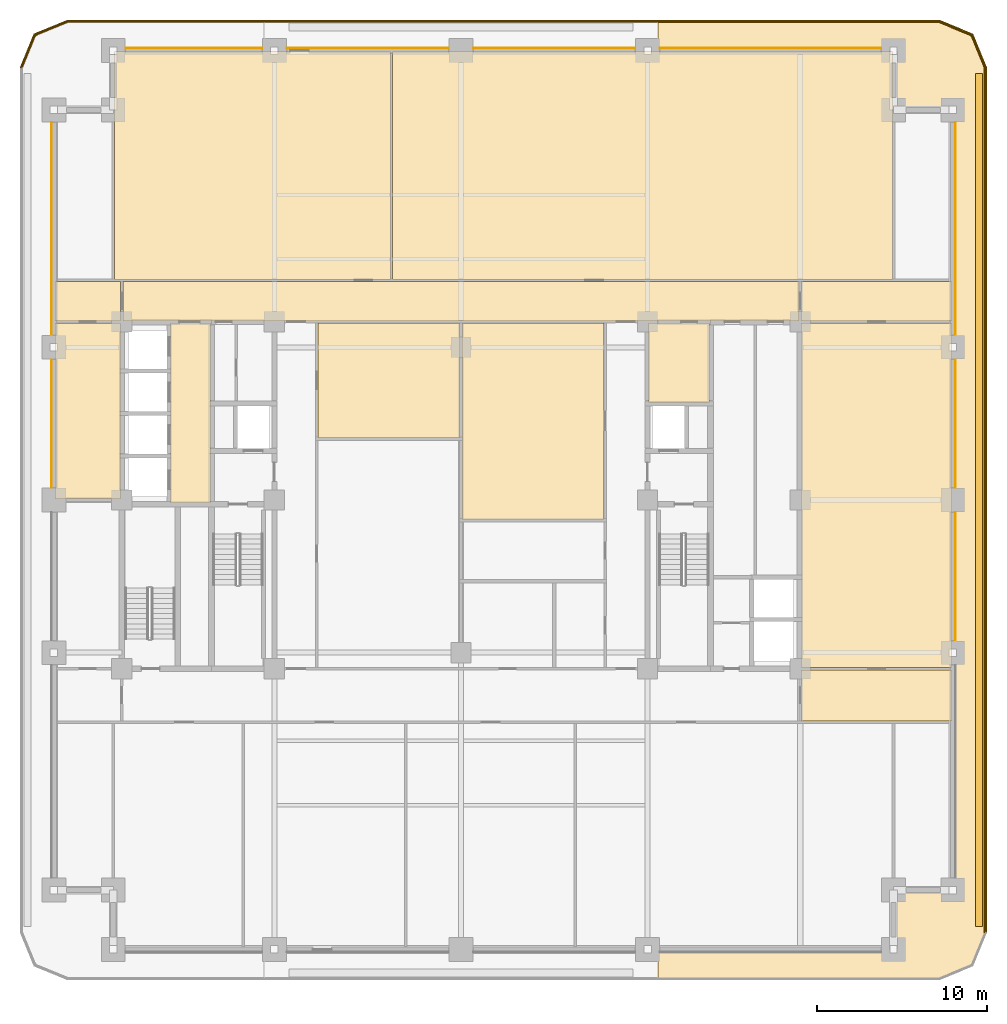
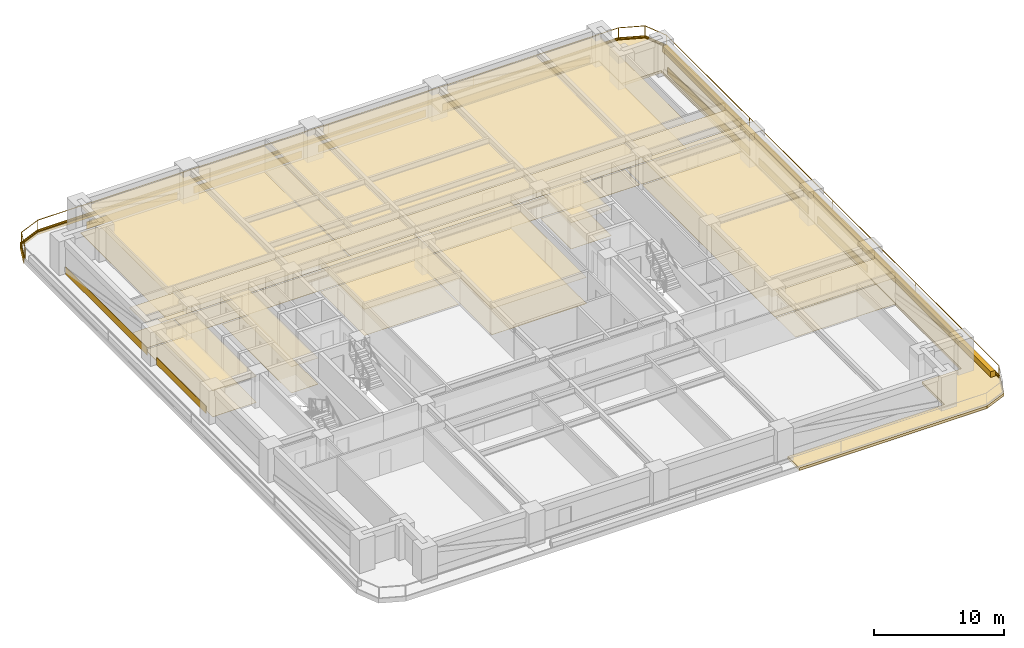
# One storey, part 12 of 12: 41 coverings, 2 railings.
"""IFC4 building model written with IfcOpenShell, lengths in metres."""

from ifc_helpers import new_model, si_unit, direction, frame, frame_2d, origin, origin_2d, place, context, subcontext, project, spatial, polyline, rectangle, outline, extrude, material, layer, layer_set, type_object, element, save


model = new_model("IFC4")

# Units and contexts
model_context = context("Model", 3, precision=1e-05, world=origin(), true_north=direction((0.0, 1.0)))
body_context = subcontext(model_context, "Body", "Model", "MODEL_VIEW")
ifc_project = project(units=[si_unit("LENGTHUNIT", "METRE"), si_unit("AREAUNIT", "SQUARE_METRE"), si_unit("VOLUMEUNIT", "CUBIC_METRE"), si_unit("PLANEANGLEUNIT", "RADIAN"), si_unit("MASSUNIT", "GRAM", prefix="KILO")], contexts=[model_context])

# Site, building, storey
site_placement = place(None, origin())
site = spatial("IfcSite", under=ifc_project, at=site_placement, CompositionType="ELEMENT")
building_placement = place(site_placement, origin())
building = spatial("IfcBuilding", under=site, at=building_placement, Name="Zulmaris Gate Convention Tower", CompositionType="ELEMENT")
storey_placement = place(building_placement, frame((0.0, 0.0, 48.6201171875)))
storey = spatial("IfcBuildingStorey", under=building, at=storey_placement, Name="L11", CompositionType="ELEMENT", Elevation=48.6201171875)

# Coverings
ifc_material_1 = material(Name="Precast concrete C40/50", Category="concrete")
ifc_layer_1 = layer(ifc_material_1, 0.0400390625, Name="Precast concrete C40/50")
ifc_layer_set_1 = layer_set([ifc_layer_1], Name="Precast concrete C40/50")
covering_type_1 = type_object("IfcCoveringType", Name="CLAD-SPANDREL-PRECAST", PredefinedType="CLADDING", material=ifc_layer_set_1)
covering_1_placement = place(storey_placement, frame((-11.72998046875, 26.64990234375, 0.0), z_axis=(0.0, 0.0, 1.0), x_axis=(-1.0, 0.0, 0.0)))
element("IfcCovering", 1, at=covering_1_placement, inside=storey, type_object=covering_type_1, Name="CLD-L11-N-0_0", PredefinedType="CLADDING", context=body_context, shape_type="SweptSolid", body=[
    extrude(rectangle(XDim=8.0400390625, YDim=0.0400390625, at=frame_2d((4.02001953125, 0.0))), origin(), (0.0, 0.0, 1.0), 0.679931640625),
])
for number, where, z_axis, x_axis, name in (
    (2, (-0.72998046875, 26.64990234375, 0.0), (0.0, 0.0, 1.0), (-1.0, 0.0, 0.0), "CLD-L11-N-1_0"),
    (3, (10.27001953125, 26.64990234375, 0.0), (0.0, 0.0, 1.0), (-1.0, 0.0, 0.0), "CLD-L11-N-2_0"),
):
    element("IfcCovering", number, at=place(storey_placement, frame(where, z_axis=z_axis, x_axis=x_axis)), inside=storey, type_object=covering_type_1, Name=name, PredefinedType="CLADDING", context=body_context, shape_type="SweptSolid", body=[
        extrude(rectangle(XDim=9.5400390625, YDim=0.0400390625, at=frame_2d((4.77001953125, 0.0))), origin(), (0.0, 0.0, 1.0), 0.679931640625),
    ])
covering_2_placement = place(storey_placement, frame((24.77001953125, 26.64990234375, 0.0), z_axis=(0.0, 0.0, 1.0), x_axis=(-1.0, 0.0, 0.0)))
element("IfcCovering", 4, at=covering_2_placement, inside=storey, type_object=covering_type_1, Name="CLD-L11-N-3_0", PredefinedType="CLADDING", context=body_context, shape_type="SweptSolid", body=[
    extrude(rectangle(XDim=13.0400390625, YDim=0.0400390625, at=frame_2d((6.52001953125, 0.0))), origin(), (0.0, 0.0, 1.0), 0.679931640625),
])
for number, where, z_axis, x_axis, name in (
    (5, (29.14990234375, -8.27001953125, 0.0), (0.0, 0.0, 1.0), (0.0, 1.0, 0.0), "CLD-L11-E-1_0"),
    (6, (29.14990234375, 0.72998046875, 0.0), (0.0, 0.0, 1.0), (0.0, 1.0, 0.0), "CLD-L11-E-2_0"),
):
    element("IfcCovering", number, at=place(storey_placement, frame(where, z_axis=z_axis, x_axis=x_axis)), inside=storey, type_object=covering_type_1, Name=name, PredefinedType="CLADDING", context=body_context, shape_type="SweptSolid", body=[
        extrude(rectangle(XDim=7.5400390625, YDim=0.0400390625, at=frame_2d((3.77001953125, 0.0))), origin(), (0.0, 0.0, 1.0), 0.679931640625),
    ])
covering_3_placement = place(storey_placement, frame((29.14990234375, 9.72998046875, 0.0), z_axis=(0.0, 0.0, 1.0), x_axis=(0.0, 1.0, 0.0)))
element("IfcCovering", 7, at=covering_3_placement, inside=storey, type_object=covering_type_1, Name="CLD-L11-E-3_0", PredefinedType="CLADDING", context=body_context, shape_type="SweptSolid", body=[
    extrude(rectangle(XDim=12.5400390625, YDim=0.0400390625, at=frame_2d((6.27001953125, 0.0))), origin(), (0.0, 0.0, 1.0), 0.679931640625),
])
covering_4_placement = place(storey_placement, frame((-24.14990234375, 8.27001953125, 0.0), z_axis=(0.0, 0.0, 1.0), x_axis=(0.0, -1.0, 0.0)))
element("IfcCovering", 8, at=covering_4_placement, inside=storey, type_object=covering_type_1, Name="CLD-L11-W-2_0", PredefinedType="CLADDING", context=body_context, shape_type="SweptSolid", body=[
    extrude(rectangle(XDim=7.5400390625, YDim=0.0400390625, at=frame_2d((3.77001953125, 0.0))), origin(), (0.0, 0.0, 1.0), 0.679931640625),
])
covering_5_placement = place(storey_placement, frame((-24.14990234375, 22.27001953125, 0.0), z_axis=(0.0, 0.0, 1.0), x_axis=(0.0, -1.0, 0.0)))
element("IfcCovering", 9, at=covering_5_placement, inside=storey, type_object=covering_type_1, Name="CLD-L11-W-3_0", PredefinedType="CLADDING", context=body_context, shape_type="SweptSolid", body=[
    extrude(rectangle(XDim=12.5400390625, YDim=0.0400390625, at=frame_2d((6.27001953125, 0.0))), origin(), (0.0, 0.0, 1.0), 0.679931640625),
])
ifc_material_2 = material(Name="White Glazed Architectural Precast Concrete C40/50", Category="concrete")
ifc_layer_2 = layer(ifc_material_2, 0.239990234375, Name="White Glazed Architectural Precast Concrete C40/50")
ifc_layer_set_2 = layer_set([ifc_layer_2], Name="White Glazed Architectural Precast Concrete C40/50")
covering_type_2 = type_object("IfcCoveringType", Name="CLAD-TRAY-DECK", PredefinedType="CLADDING", material=ifc_layer_set_2)
covering_6_placement = place(storey_placement, frame((0.0, 0.0, -0.25)))
element("IfcCovering", 10, at=covering_6_placement, inside=storey, type_object=covering_type_2, Name="L11 East Rounded-Fascia Planter Tray Deck", PredefinedType="CLADDING", context=body_context, shape_type="SweptSolid", body=[
    extrude(outline(polyline([(28.199951171875, 28.300048828125), (30.179931640625, 27.47998046875), (31.0, 25.5), (31.0, -25.5), (30.179931640625, -27.47998046875), (28.199951171875, -28.300048828125), (11.60205078125, -28.300048828125), (11.60205078125, -26.5), (25.5, -26.5), (25.5, -23.0), (29.0, -23.0), (29.0, 23.0), (25.5, 23.0), (25.5, 26.5), (11.60205078125, 26.5), (11.60205078125, 28.300048828125), (28.199951171875, 28.300048828125)])), origin(), (0.0, 0.0, 1.0), 0.239990234375),
])
ifc_layer_3 = layer(ifc_material_2, 0.080078125, Name="White Glazed Architectural Precast Concrete C40/50")
ifc_layer_set_3 = layer_set([ifc_layer_3], Name="White Glazed Architectural Precast Concrete C40/50")
covering_type_3 = type_object("IfcCoveringType", Name="CLAD-TRAY-FASCIA", PredefinedType="CLADDING", material=ifc_layer_set_3)
covering_7_placement = place(storey_placement, frame((30.9599609375, -25.5, -0.2900390625), z_axis=(0.0, 0.0, 1.0), x_axis=(0.0, 1.0, 0.0)))
element("IfcCovering", 11, at=covering_7_placement, inside=storey, type_object=covering_type_3, Name="FSC-L11-TR-05", PredefinedType="CLADDING", context=body_context, shape_type="SweptSolid", body=[
    extrude(rectangle(XDim=51.0, YDim=0.080078125, at=frame_2d((25.5, 0.0))), origin(), (0.0, 0.0, 1.0), 0.43994140625),
])
covering_8_placement = place(storey_placement, frame((30.962890625, 25.484619140625, -0.2900390625), z_axis=(0.0, 0.0, 1.0), x_axis=(-0.382656984709, 0.923890487046, 0.0)))
element("IfcCovering", 12, at=covering_8_placement, inside=storey, type_object=covering_type_3, Name="FSC-L11-TR-06", PredefinedType="CLADDING", context=body_context, shape_type="SweptSolid", body=[
    extrude(rectangle(XDim=2.14306640625, YDim=0.080078125, at=frame_2d((1.071533203125, 0.0))), origin(), (0.0, 0.0, 1.0), 0.43994140625),
])
covering_9_placement = place(storey_placement, frame((30.16455078125, 27.44287109375, -0.2900390625), z_axis=(0.0, 0.0, 1.0), x_axis=(-0.923873803533, 0.382697263049, 0.0)))
element("IfcCovering", 13, at=covering_9_placement, inside=storey, type_object=covering_type_3, Name="FSC-L11-TR-07", PredefinedType="CLADDING", context=body_context, shape_type="SweptSolid", body=[
    extrude(rectangle(XDim=2.142822265625, YDim=0.080078125, at=frame_2d((1.0712890625, 0.0))), origin(), (0.0, 0.0, 1.0), 0.43994140625),
])
covering_10_placement = place(storey_placement, frame((28.199951171875, 28.260009765625, -0.2900390625), z_axis=(0.0, 0.0, 1.0), x_axis=(-1.0, 0.0, 0.0)))
element("IfcCovering", 14, at=covering_10_placement, inside=storey, type_object=covering_type_3, Name="FSC-L11-TR-08", PredefinedType="CLADDING", context=body_context, shape_type="SweptSolid", body=[
    extrude(rectangle(XDim=51.39990234375, YDim=0.080078125, at=frame_2d((25.699951171875, 0.0))), origin(), (0.0, 0.0, 1.0), 0.43994140625),
])
covering_11_placement = place(storey_placement, frame((-23.184814453125, 28.262939453125, -0.2900390625), z_axis=(0.0, 0.0, 1.0), x_axis=(-0.923873803533, -0.382697263049, 0.0)))
element("IfcCovering", 15, at=covering_11_placement, inside=storey, type_object=covering_type_3, Name="FSC-L11-TR-09", PredefinedType="CLADDING", context=body_context, shape_type="SweptSolid", body=[
    extrude(rectangle(XDim=2.142822265625, YDim=0.080078125, at=frame_2d((1.0712890625, 0.0))), origin(), (0.0, 0.0, 1.0), 0.43994140625),
])
covering_12_placement = place(storey_placement, frame((-25.142822265625, 27.464599609375, -0.2900390625), z_axis=(0.0, 0.0, 1.0), x_axis=(-0.382656984709, -0.923890487046, 0.0)))
element("IfcCovering", 16, at=covering_12_placement, inside=storey, type_object=covering_type_3, Name="FSC-L11-TR-10", PredefinedType="CLADDING", context=body_context, shape_type="SweptSolid", body=[
    extrude(rectangle(XDim=2.14306640625, YDim=0.080078125, at=frame_2d((1.071533203125, 0.0))), origin(), (0.0, 0.0, 1.0), 0.43994140625),
])
ifc_material_3 = material(Name="Mineral Fibre Acoustic Ceiling Tile")
ifc_layer_4 = layer(ifc_material_3, 0.02001953125, Name="Mineral Fibre Acoustic Ceiling Tile")
ifc_layer_set_4 = layer_set([ifc_layer_4], Name="Mineral Fibre Acoustic Ceiling Tile")
covering_type_4 = type_object("IfcCoveringType", Name="CLG-ACOUSTIC-600", PredefinedType="CEILING", material=ifc_layer_set_4)
covering_13_placement = place(storey_placement, frame((0.0, 0.0, 2.452880859375)))
element("IfcCovering", 17, at=covering_13_placement, inside=storey, type_object=covering_type_4, Name="CLG-L11-R13", PredefinedType="CEILING", context=body_context, shape_type="SweptSolid", body=[
    extrude(outline(polyline([(11.06005859375, 5.760009765625), (14.639892578125, 5.760009765625), (14.639892578125, 10.43994140625), (11.06005859375, 10.43994140625), (11.06005859375, 5.760009765625)])), origin(), (0.0, 0.0, 1.0), 0.02001953125),
])
covering_14_placement = place(storey_placement, frame((0.0, 0.0, 2.452880859375)))
element("IfcCovering", 18, at=covering_14_placement, inside=storey, type_object=covering_type_4, Name="CLG-L11-R16", PredefinedType="CEILING", context=body_context, shape_type="SweptSolid", body=[
    extrude(outline(polyline([(-17.139892578125, -0.18994140625), (-14.760009765625, -0.18994140625), (-14.760009765625, 10.43994140625), (-17.139892578125, 10.43994140625), (-17.139892578125, -0.18994140625)])), origin(), (0.0, 0.0, 1.0), 0.02001953125),
])
covering_15_placement = place(storey_placement, frame((0.0, 0.0, 2.452880859375)))
element("IfcCovering", 19, at=covering_15_placement, inside=storey, type_object=covering_type_4, Name="CLG-L11-R29", PredefinedType="CEILING", context=body_context, shape_type="SweptSolid", body=[
    extrude(outline(polyline([(-19.93994140625, 10.56005859375), (19.93994140625, 10.56005859375), (19.93994140625, 12.889892578125), (-19.93994140625, 12.889892578125), (-19.93994140625, 10.56005859375)])), origin(), (0.0, 0.0, 1.0), 0.02001953125),
])
covering_16_placement = place(storey_placement, frame((0.0, 0.0, 2.452880859375)))
element("IfcCovering", 20, at=covering_16_placement, inside=storey, type_object=covering_type_4, Name="CLG-L11-R33", PredefinedType="CEILING", context=body_context, shape_type="SweptSolid", body=[
    extrude(outline(polyline([(-20.43994140625, 13.010009765625), (-4.159912109375, 13.010009765625), (-4.159912109375, 26.43994140625), (-20.43994140625, 26.43994140625), (-20.43994140625, 13.010009765625)])), origin(), (0.0, 0.0, 1.0), 0.02001953125),
])
covering_17_placement = place(storey_placement, frame((0.0, 0.0, 2.452880859375)))
element("IfcCovering", 21, at=covering_17_placement, inside=storey, type_object=covering_type_4, Name="CLG-L11-R34", PredefinedType="CEILING", context=body_context, shape_type="SweptSolid", body=[
    extrude(outline(polyline([(-4.0400390625, 13.010009765625), (25.43994140625, 13.010009765625), (25.43994140625, 26.43994140625), (-4.0400390625, 26.43994140625), (-4.0400390625, 13.010009765625)])), origin(), (0.0, 0.0, 1.0), 0.02001953125),
])
covering_18_placement = place(storey_placement, frame((0.0, 0.0, 2.452880859375)))
element("IfcCovering", 22, at=covering_18_placement, inside=storey, type_object=covering_type_4, Name="CLG-L11-R39", PredefinedType="CEILING", context=body_context, shape_type="SweptSolid", body=[
    extrude(outline(polyline([(-8.43994140625, 3.659912109375), (-0.06005859375, 3.659912109375), (-0.06005859375, 10.43994140625), (-8.43994140625, 10.43994140625), (-8.43994140625, 3.659912109375)])), origin(), (0.0, 0.0, 1.0), 0.02001953125),
])
covering_19_placement = place(storey_placement, frame((0.0, 0.0, 2.452880859375)))
element("IfcCovering", 23, at=covering_19_placement, inside=storey, type_object=covering_type_4, Name="CLG-L11-R41", PredefinedType="CEILING", context=body_context, shape_type="SweptSolid", body=[
    extrude(outline(polyline([(0.06005859375, -1.139892578125), (8.43994140625, -1.139892578125), (8.43994140625, 10.43994140625), (0.06005859375, 10.43994140625), (0.06005859375, -1.139892578125)])), origin(), (0.0, 0.0, 1.0), 0.02001953125),
])
covering_20_placement = place(storey_placement, frame((0.0, 0.0, 2.452880859375)))
element("IfcCovering", 24, at=covering_20_placement, inside=storey, type_object=covering_type_4, Name="CLG-L11-R45", PredefinedType="CEILING", context=body_context, shape_type="SweptSolid", body=[
    extrude(outline(polyline([(-23.93994140625, 10.56005859375), (-20.06005859375, 10.56005859375), (-20.06005859375, 12.889892578125), (-23.93994140625, 12.889892578125), (-23.93994140625, 10.56005859375)])), origin(), (0.0, 0.0, 1.0), 0.02001953125),
])
covering_21_placement = place(storey_placement, frame((0.0, 0.0, 2.452880859375)))
element("IfcCovering", 25, at=covering_21_placement, inside=storey, type_object=covering_type_4, Name="CLG-L11-R47", PredefinedType="CEILING", context=body_context, shape_type="SweptSolid", body=[
    extrude(outline(polyline([(-23.93994140625, 0.06005859375), (-20.06005859375, 0.06005859375), (-20.06005859375, 10.43994140625), (-23.93994140625, 10.43994140625), (-23.93994140625, 0.06005859375)])), origin(), (0.0, 0.0, 1.0), 0.02001953125),
])
covering_22_placement = place(storey_placement, frame((0.0, 0.0, 2.452880859375)))
element("IfcCovering", 26, at=covering_22_placement, inside=storey, type_object=covering_type_4, Name="CLG-L11-R49", PredefinedType="CEILING", context=body_context, shape_type="SweptSolid", body=[
    extrude(outline(polyline([(20.06005859375, 10.56005859375), (28.93994140625, 10.56005859375), (28.93994140625, 12.889892578125), (20.06005859375, 12.889892578125), (20.06005859375, 10.56005859375)])), origin(), (0.0, 0.0, 1.0), 0.02001953125),
])
covering_23_placement = place(storey_placement, frame((0.0, 0.0, 2.452880859375)))
element("IfcCovering", 27, at=covering_23_placement, inside=storey, type_object=covering_type_4, Name="CLG-L11-R50", PredefinedType="CEILING", context=body_context, shape_type="SweptSolid", body=[
    extrude(outline(polyline([(20.06005859375, -13.0400390625), (28.93994140625, -13.0400390625), (28.93994140625, -10.010009765625), (20.06005859375, -10.010009765625), (20.06005859375, -13.0400390625)])), origin(), (0.0, 0.0, 1.0), 0.02001953125),
])
covering_24_placement = place(storey_placement, frame((0.0, 0.0, 2.452880859375)))
element("IfcCovering", 28, at=covering_24_placement, inside=storey, type_object=covering_type_4, Name="CLG-L11-R51", PredefinedType="CEILING", context=body_context, shape_type="SweptSolid", body=[
    extrude(outline(polyline([(20.06005859375, -9.889892578125), (28.93994140625, -9.889892578125), (28.93994140625, 10.43994140625), (20.06005859375, 10.43994140625), (20.06005859375, -9.889892578125)])), origin(), (0.0, 0.0, 1.0), 0.02001953125),
])
ifc_material_4 = material(Name="Woven Acoustic Wool Carpet Tile")
ifc_layer_5 = layer(ifc_material_4, 0.02001953125, Name="Woven Acoustic Wool Carpet Tile")
ifc_layer_set_5 = layer_set([ifc_layer_5], Name="Woven Acoustic Wool Carpet Tile")
covering_type_5 = type_object("IfcCoveringType", Name="FLR-CARPET-12", PredefinedType="FLOORING", material=ifc_layer_set_5)
covering_25_placement = place(storey_placement, origin())
element("IfcCovering", 29, at=covering_25_placement, inside=storey, type_object=covering_type_5, Name="FLR-L11-R13", PredefinedType="FLOORING", context=body_context, shape_type="SweptSolid", body=[
    extrude(outline(polyline([(11.06005859375, 5.760009765625), (14.639892578125, 5.760009765625), (14.639892578125, 10.43994140625), (11.06005859375, 10.43994140625), (11.06005859375, 5.760009765625)])), origin(), (0.0, 0.0, 1.0), 0.02001953125),
])
covering_26_placement = place(storey_placement, origin())
element("IfcCovering", 30, at=covering_26_placement, inside=storey, type_object=covering_type_5, Name="FLR-L11-R16", PredefinedType="FLOORING", context=body_context, shape_type="SweptSolid", body=[
    extrude(outline(polyline([(-17.139892578125, -0.18994140625), (-14.760009765625, -0.18994140625), (-14.760009765625, 10.43994140625), (-17.139892578125, 10.43994140625), (-17.139892578125, -0.18994140625)])), origin(), (0.0, 0.0, 1.0), 0.02001953125),
])
covering_27_placement = place(storey_placement, origin())
element("IfcCovering", 31, at=covering_27_placement, inside=storey, type_object=covering_type_5, Name="FLR-L11-R29", PredefinedType="FLOORING", context=body_context, shape_type="SweptSolid", body=[
    extrude(outline(polyline([(-19.93994140625, 10.56005859375), (19.93994140625, 10.56005859375), (19.93994140625, 12.889892578125), (-19.93994140625, 12.889892578125), (-19.93994140625, 10.56005859375)])), origin(), (0.0, 0.0, 1.0), 0.02001953125),
])
covering_28_placement = place(storey_placement, origin())
element("IfcCovering", 32, at=covering_28_placement, inside=storey, type_object=covering_type_5, Name="FLR-L11-R33", PredefinedType="FLOORING", context=body_context, shape_type="SweptSolid", body=[
    extrude(outline(polyline([(-20.43994140625, 13.010009765625), (-4.159912109375, 13.010009765625), (-4.159912109375, 26.43994140625), (-20.43994140625, 26.43994140625), (-20.43994140625, 13.010009765625)])), origin(), (0.0, 0.0, 1.0), 0.02001953125),
])
covering_29_placement = place(storey_placement, origin())
element("IfcCovering", 33, at=covering_29_placement, inside=storey, type_object=covering_type_5, Name="FLR-L11-R34", PredefinedType="FLOORING", context=body_context, shape_type="SweptSolid", body=[
    extrude(outline(polyline([(-4.0400390625, 13.010009765625), (25.43994140625, 13.010009765625), (25.43994140625, 26.43994140625), (-4.0400390625, 26.43994140625), (-4.0400390625, 13.010009765625)])), origin(), (0.0, 0.0, 1.0), 0.02001953125),
])
covering_30_placement = place(storey_placement, origin())
element("IfcCovering", 34, at=covering_30_placement, inside=storey, type_object=covering_type_5, Name="FLR-L11-R41", PredefinedType="FLOORING", context=body_context, shape_type="SweptSolid", body=[
    extrude(outline(polyline([(0.06005859375, -1.139892578125), (8.43994140625, -1.139892578125), (8.43994140625, 10.43994140625), (0.06005859375, 10.43994140625), (0.06005859375, -1.139892578125)])), origin(), (0.0, 0.0, 1.0), 0.02001953125),
])
covering_31_placement = place(storey_placement, origin())
element("IfcCovering", 35, at=covering_31_placement, inside=storey, type_object=covering_type_5, Name="FLR-L11-R45", PredefinedType="FLOORING", context=body_context, shape_type="SweptSolid", body=[
    extrude(outline(polyline([(-23.93994140625, 10.56005859375), (-20.06005859375, 10.56005859375), (-20.06005859375, 12.889892578125), (-23.93994140625, 12.889892578125), (-23.93994140625, 10.56005859375)])), origin(), (0.0, 0.0, 1.0), 0.02001953125),
])
covering_32_placement = place(storey_placement, origin())
element("IfcCovering", 36, at=covering_32_placement, inside=storey, type_object=covering_type_5, Name="FLR-L11-R47", PredefinedType="FLOORING", context=body_context, shape_type="SweptSolid", body=[
    extrude(outline(polyline([(-23.93994140625, 0.06005859375), (-20.06005859375, 0.06005859375), (-20.06005859375, 10.43994140625), (-23.93994140625, 10.43994140625), (-23.93994140625, 0.06005859375)])), origin(), (0.0, 0.0, 1.0), 0.02001953125),
])
covering_33_placement = place(storey_placement, origin())
element("IfcCovering", 37, at=covering_33_placement, inside=storey, type_object=covering_type_5, Name="FLR-L11-R49", PredefinedType="FLOORING", context=body_context, shape_type="SweptSolid", body=[
    extrude(outline(polyline([(20.06005859375, 10.56005859375), (28.93994140625, 10.56005859375), (28.93994140625, 12.889892578125), (20.06005859375, 12.889892578125), (20.06005859375, 10.56005859375)])), origin(), (0.0, 0.0, 1.0), 0.02001953125),
])
covering_34_placement = place(storey_placement, origin())
element("IfcCovering", 38, at=covering_34_placement, inside=storey, type_object=covering_type_5, Name="FLR-L11-R50", PredefinedType="FLOORING", context=body_context, shape_type="SweptSolid", body=[
    extrude(outline(polyline([(20.06005859375, -13.0400390625), (28.93994140625, -13.0400390625), (28.93994140625, -10.010009765625), (20.06005859375, -10.010009765625), (20.06005859375, -13.0400390625)])), origin(), (0.0, 0.0, 1.0), 0.02001953125),
])
covering_35_placement = place(storey_placement, origin())
element("IfcCovering", 39, at=covering_35_placement, inside=storey, type_object=covering_type_5, Name="FLR-L11-R51", PredefinedType="FLOORING", context=body_context, shape_type="SweptSolid", body=[
    extrude(outline(polyline([(20.06005859375, -9.889892578125), (28.93994140625, -9.889892578125), (28.93994140625, 10.43994140625), (20.06005859375, 10.43994140625), (20.06005859375, -9.889892578125)])), origin(), (0.0, 0.0, 1.0), 0.02001953125),
])
ifc_material_5 = material(Name="Engineered Teak Parquet Flooring")
ifc_layer_6 = layer(ifc_material_5, 0.02001953125, Name="Engineered Teak Parquet Flooring")
ifc_layer_set_6 = layer_set([ifc_layer_6], Name="Engineered Teak Parquet Flooring")
covering_type_6 = type_object("IfcCoveringType", Name="FLR-TIMBER-18", PredefinedType="FLOORING", material=ifc_layer_set_6)
covering_36_placement = place(storey_placement, origin())
element("IfcCovering", 40, at=covering_36_placement, inside=storey, type_object=covering_type_6, Name="FLR-L11-R39", PredefinedType="FLOORING", context=body_context, shape_type="SweptSolid", body=[
    extrude(outline(polyline([(-8.43994140625, 3.659912109375), (-0.06005859375, 3.659912109375), (-0.06005859375, 10.43994140625), (-8.43994140625, 10.43994140625), (-8.43994140625, 3.659912109375)])), origin(), (0.0, 0.0, 1.0), 0.02001953125),
])
ifc_material_6 = material(Name="Botanical Green Glazed Precast Concrete C40/50", Category="concrete")
ifc_layer_7 = layer(ifc_material_6, 0.419921875, Name="Botanical Green Glazed Precast Concrete C40/50")
ifc_layer_set_7 = layer_set([ifc_layer_7], Name="Botanical Green Glazed Precast Concrete C40/50")
covering_type_7 = type_object("IfcCoveringType", Name="PLANTER-BOX-200", PredefinedType="CLADDING", material=ifc_layer_set_7)
covering_37_placement = place(storey_placement, frame((0.0, 0.0, -0.010009765625)))
element("IfcCovering", 41, at=covering_37_placement, inside=storey, type_object=covering_type_7, Name="L11 E Full-Length Balcony Tree Planter Trough", PredefinedType="CLADDING", context=body_context, shape_type="SweptSolid", body=[
    extrude(outline(polyline([(30.340087890625, -25.14990234375), (30.760009765625, -25.14990234375), (30.760009765625, 25.14990234375), (30.340087890625, 25.14990234375), (30.340087890625, -25.14990234375)])), origin(), (0.0, 0.0, 1.0), 0.52001953125),
])

# Railings
ifc_material_7 = material(Name="Laminated Glass and Stainless Steel", Category="steel")
railing_type = type_object("IfcRailingType", Name="RL-BALC-1150", PredefinedType="BALUSTRADE", material=ifc_material_7)
railing_1_placement = place(storey_placement, frame((30.8798828125, -25.5, -0.010009765625)))
element("IfcRailing", 42, at=railing_1_placement, inside=storey, type_object=railing_type, Name="RL-L11-BALC-E", PredefinedType="BALUSTRADE", context=body_context, shape_type="SweptSolid", body=[
    extrude(rectangle(XDim=0.048095703125, YDim=0.048095703125, at=origin_2d()), frame((0.0, 0.0, 1.1259765625), z_axis=(0.0, 1.0, 0.0), x_axis=(-1.0, 0.0, 0.0)), (0.0, 0.0, 1.0), 51.0),
    extrude(rectangle(XDim=0.048095703125, YDim=0.048095703125, at=origin_2d()), frame((0.0, 0.0, 0.02392578125), z_axis=(0.0, 1.0, 0.0), x_axis=(-1.0, 0.0, 0.0)), (0.0, 0.0, 1.0), 51.0),
    extrude(rectangle(XDim=0.0419921875, YDim=0.0419921875, at=origin_2d()), origin(), (0.0, 0.0, 1.0), 1.101806640625),
    extrude(rectangle(XDim=0.0419921875, YDim=0.0419921875, at=origin_2d()), frame((0.0, 12.75, 0.0)), (0.0, 0.0, 1.0), 1.101806640625),
    extrude(rectangle(XDim=0.0419921875, YDim=0.0419921875, at=origin_2d()), frame((0.0, 25.5, 0.0)), (0.0, 0.0, 1.0), 1.101806640625),
    extrude(rectangle(XDim=0.0419921875, YDim=0.0419921875, at=origin_2d()), frame((0.0, 38.25, 0.0)), (0.0, 0.0, 1.0), 1.101806640625),
    extrude(rectangle(XDim=0.0419921875, YDim=0.0419921875, at=origin_2d()), frame((0.0, 51.0, 0.0)), (0.0, 0.0, 1.0), 1.101806640625),
])
railing_2_placement = place(storey_placement, frame((30.8798828125, 25.5, -0.010009765625)))
element("IfcRailing", 43, at=railing_2_placement, inside=storey, type_object=railing_type, Name="RL-L11-BALC-N", PredefinedType="BALUSTRADE", context=body_context, shape_type="SweptSolid", body=[
    extrude(rectangle(XDim=0.048095703125, YDim=0.048095703125, at=origin_2d()), frame((0.0, 0.0, 1.1259765625), z_axis=(-0.382670664694, 0.92388482095, 0.0), x_axis=(-0.92388482095, -0.382670664694, 0.0)), (0.0, 0.0, 1.0), 2.051025390625),
    extrude(rectangle(XDim=0.048095703125, YDim=0.048095703125, at=origin_2d()), frame((0.0, 0.0, 0.02392578125), z_axis=(-0.382670664694, 0.92388482095, 0.0), x_axis=(-0.92388482095, -0.382670664694, 0.0)), (0.0, 0.0, 1.0), 2.051025390625),
    extrude(rectangle(XDim=0.048095703125, YDim=0.048095703125, at=origin_2d()), frame((-0.784912109375, 1.89501953125, 1.1259765625), z_axis=(-0.92388482095, 0.382670664694, 0.0), x_axis=(-0.382670664694, -0.92388482095, 0.0)), (0.0, 0.0, 1.0), 2.051025390625),
    extrude(rectangle(XDim=0.048095703125, YDim=0.048095703125, at=origin_2d()), frame((-0.784912109375, 1.89501953125, 0.02392578125), z_axis=(-0.92388482095, 0.382670664694, 0.0), x_axis=(-0.382670664694, -0.92388482095, 0.0)), (0.0, 0.0, 1.0), 2.051025390625),
    extrude(rectangle(XDim=0.048095703125, YDim=0.048095703125, at=origin_2d()), frame((-2.679931640625, 2.679931640625, 1.1259765625), z_axis=(-1.0, 0.0, 0.0), x_axis=(0.0, -1.0, 0.0)), (0.0, 0.0, 1.0), 51.39990234375),
    extrude(rectangle(XDim=0.048095703125, YDim=0.048095703125, at=origin_2d()), frame((-2.679931640625, 2.679931640625, 0.02392578125), z_axis=(-1.0, 0.0, 0.0), x_axis=(0.0, -1.0, 0.0)), (0.0, 0.0, 1.0), 51.39990234375),
    extrude(rectangle(XDim=0.048095703125, YDim=0.048095703125, at=origin_2d()), frame((-54.079833984375, 2.679931640625, 1.1259765625), z_axis=(-0.92388482095, -0.382670664694, 0.0), x_axis=(0.382670664694, -0.92388482095, 0.0)), (0.0, 0.0, 1.0), 2.051025390625),
    extrude(rectangle(XDim=0.048095703125, YDim=0.048095703125, at=origin_2d()), frame((-54.079833984375, 2.679931640625, 0.02392578125), z_axis=(-0.92388482095, -0.382670664694, 0.0), x_axis=(0.382670664694, -0.92388482095, 0.0)), (0.0, 0.0, 1.0), 2.051025390625),
    extrude(rectangle(XDim=0.048095703125, YDim=0.048095703125, at=origin_2d()), frame((-55.974853515625, 1.89501953125, 1.1259765625), z_axis=(-0.382670664694, -0.92388482095, 0.0), x_axis=(0.92388482095, -0.382670664694, 0.0)), (0.0, 0.0, 1.0), 2.051025390625),
    extrude(rectangle(XDim=0.048095703125, YDim=0.048095703125, at=origin_2d()), frame((-55.974853515625, 1.89501953125, 0.02392578125), z_axis=(-0.382670664694, -0.92388482095, 0.0), x_axis=(0.92388482095, -0.382670664694, 0.0)), (0.0, 0.0, 1.0), 2.051025390625),
    extrude(rectangle(XDim=0.0419921875, YDim=0.0419921875, at=origin_2d()), origin(), (0.0, 0.0, 1.0), 1.101806640625),
    extrude(rectangle(XDim=0.0419921875, YDim=0.0419921875, at=origin_2d()), frame((-0.784912109375, 1.89501953125, 0.0)), (0.0, 0.0, 1.0), 1.101806640625),
    extrude(rectangle(XDim=0.0419921875, YDim=0.0419921875, at=origin_2d()), frame((-2.679931640625, 2.679931640625, 0.0)), (0.0, 0.0, 1.0), 1.101806640625),
    extrude(rectangle(XDim=0.0419921875, YDim=0.0419921875, at=origin_2d()), frame((-15.52978515625, 2.679931640625, 0.0)), (0.0, 0.0, 1.0), 1.101806640625),
    extrude(rectangle(XDim=0.0419921875, YDim=0.0419921875, at=origin_2d()), frame((-28.3798828125, 2.679931640625, 0.0)), (0.0, 0.0, 1.0), 1.101806640625),
    extrude(rectangle(XDim=0.0419921875, YDim=0.0419921875, at=origin_2d()), frame((-41.22998046875, 2.679931640625, 0.0)), (0.0, 0.0, 1.0), 1.101806640625),
    extrude(rectangle(XDim=0.0419921875, YDim=0.0419921875, at=origin_2d()), frame((-54.079833984375, 2.679931640625, 0.0)), (0.0, 0.0, 1.0), 1.101806640625),
    extrude(rectangle(XDim=0.0419921875, YDim=0.0419921875, at=origin_2d()), frame((-55.974853515625, 1.89501953125, 0.0)), (0.0, 0.0, 1.0), 1.101806640625),
    extrude(rectangle(XDim=0.0419921875, YDim=0.0419921875, at=origin_2d()), frame((-56.759765625, 0.0, 0.0)), (0.0, 0.0, 1.0), 1.101806640625),
])

save(model, "model.ifc")
